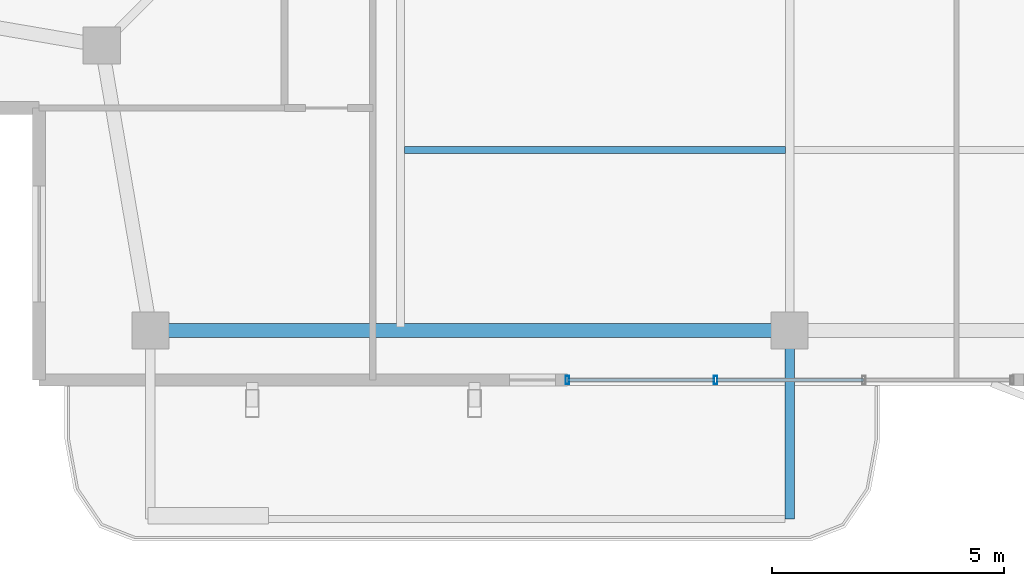
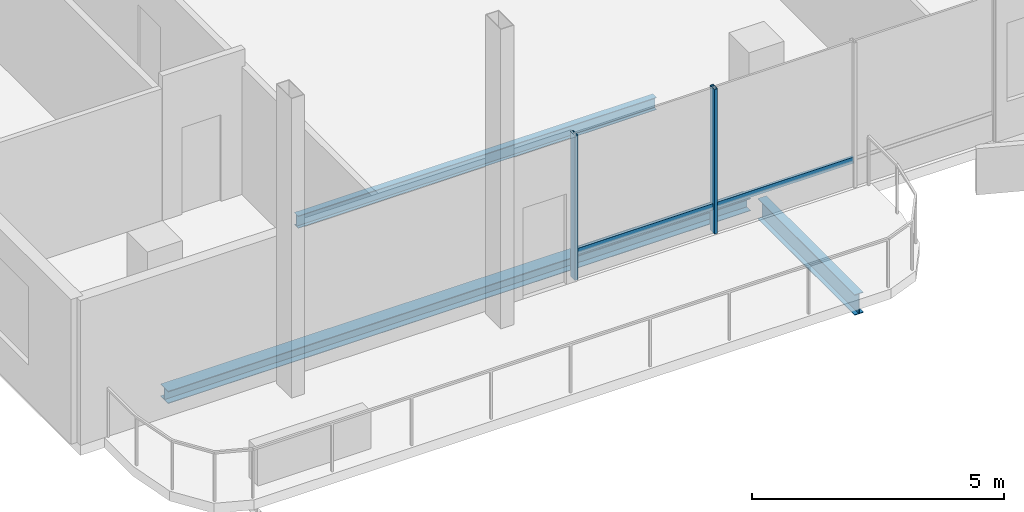
# One storey, part 3 of 22: 4 members, 3 beams, 1 element without a shape of its own.
"""IFC4 building model written with IfcOpenShell, lengths in metres."""

import ifcopenshell
import ifcopenshell.guid

model = None  # the IFC model being written
_history = None  # IfcOwnerHistory: only IFC2X3 demands one
_inside = {}  # id of a spatial element -> (the spatial element, [elements in it])
_under = {}  # id of a project, library or spatial element -> (it, [spatial elements below it])
_declared = {}  # id of a project -> (the project, [libraries it declares])
_typed = {}  # id of a type object -> (the type object, [elements of that type])
_made_of = {}  # id of a material, layer set ... -> (it, [elements and type objects made of it])


def new_model(schema):
    """Start an empty IFC model of exactly this schema.

    Asked for "IFC4X3", IfcOpenShell would pick the latest addendum, in which some entities
    have other attributes; the version numbers below select the first issue.
    IFC2X3 requires an IfcOwnerHistory on every rooted entity: one is made here for all.
    """
    global model, _history
    if schema == "IFC4X3":
        model = ifcopenshell.file(schema_version=(4, 3, 0, 0))
    else:
        model = ifcopenshell.file(schema=schema)
    _inside.clear()
    _under.clear()
    _declared.clear()
    _typed.clear()
    _made_of.clear()
    _history = None
    if model.schema == "IFC2X3":
        org = make("IfcOrganization", Name="unknown")
        user = make(
            "IfcPersonAndOrganization",
            ThePerson=make("IfcPerson", FamilyName="unknown"),
            TheOrganization=org,
        )
        app = make(
            "IfcApplication",
            ApplicationDeveloper=org,
            Version="unknown",
            ApplicationFullName="unknown",
            ApplicationIdentifier="unknown",
        )
        _history = make(
            "IfcOwnerHistory",
            OwningUser=user,
            OwningApplication=app,
            ChangeAction="ADDED",
            CreationDate=0,
        )
    return model


def make(cls, **values):
    """One entity of the class cls with the attributes given. An attribute that is None is left unset."""
    return model.create_entity(
        cls, **{name: value for name, value in values.items() if value is not None}
    )


def rooted(cls, **values):
    """An entity with a GlobalId (a new one), such as an element, a storey or a relation."""
    return make(cls, GlobalId=ifcopenshell.guid.new(), OwnerHistory=_history, **values)


def si_unit(unit_type, name, prefix=None):
    """IfcSIUnit, for example si_unit("LENGTHUNIT", "METRE", prefix="MILLI")."""
    return make("IfcSIUnit", UnitType=unit_type, Prefix=prefix, Name=name)


def assignment(units):
    """IfcUnitAssignment: the units of a project."""
    return None if units is None else make("IfcUnitAssignment", Units=units)


def point(xyz):
    """IfcCartesianPoint."""
    return None if xyz is None else make("IfcCartesianPoint", Coordinates=xyz)


def direction(xyz):
    """IfcDirection."""
    return None if xyz is None else make("IfcDirection", DirectionRatios=xyz)


def frame(location, z_axis=None, x_axis=None):
    """IfcAxis2Placement3D, a coordinate frame: its origin and axes. An axis left out is left unset."""
    return make(
        "IfcAxis2Placement3D",
        Location=point(location),
        Axis=direction(z_axis),
        RefDirection=direction(x_axis),
    )


def frame_2d(location, x_axis=None):
    """IfcAxis2Placement2D, a coordinate frame in the plane: its origin and x axis."""
    return make(
        "IfcAxis2Placement2D", Location=point(location), RefDirection=direction(x_axis)
    )


def origin():
    """The frame at (0, 0, 0) with its axes left unset."""
    return frame((0.0, 0.0, 0.0))


def origin_2d():
    """The frame at (0, 0) in the plane with its x axis left unset."""
    return frame_2d((0.0, 0.0))


def place(relative_to, where):
    """IfcLocalPlacement: puts the frame where relative to a parent placement (None: the world)."""
    return make(
        "IfcLocalPlacement", PlacementRelTo=relative_to, RelativePlacement=where
    )


def context(
    kind, dimensions, precision=None, world=None, true_north=None, identifier=None
):
    """IfcGeometricRepresentationContext, for example the 3D "Model" context."""
    return make(
        "IfcGeometricRepresentationContext",
        ContextIdentifier=identifier,
        ContextType=kind,
        CoordinateSpaceDimension=dimensions,
        Precision=precision,
        WorldCoordinateSystem=world,
        TrueNorth=true_north,
    )


def subcontext(parent, identifier, kind, view, scale=None):
    """IfcGeometricRepresentationSubContext, for example "Body" below "Model"."""
    return make(
        "IfcGeometricRepresentationSubContext",
        ContextIdentifier=identifier,
        ContextType=kind,
        ParentContext=parent,
        TargetScale=scale,
        TargetView=view,
    )


def project(units=None, contexts=None):
    """IfcProject with its units and contexts."""
    return rooted(
        "IfcProject",
        Name="project",
        RepresentationContexts=contexts,
        UnitsInContext=assignment(units),
    )


def spatial(cls, under=None, at=None, **own):
    """A site, building, storey or space (cls), placed at a placement, below another one or the project."""
    s = rooted(cls, ObjectPlacement=at, **own)
    if under is not None:
        _under.setdefault(under.id(), (under, []))[1].append(s)
    return s


def profile(cls, at=None, kind="AREA", **sizes):
    """A parametric profile (cls). Its sizes go by their IFC names, for example OverallWidth=200.0."""
    return make(cls, ProfileType=kind, Position=at, **sizes)


def hollow_rectangle(**sizes):
    """IfcRectangleHollowProfileDef."""
    return profile("IfcRectangleHollowProfileDef", **sizes)


def i_section(**sizes):
    """IfcIShapeProfileDef."""
    return profile("IfcIShapeProfileDef", **sizes)


def extrude(swept, where, along, depth):
    """IfcExtrudedAreaSolid: the profile swept, set in the frame where, extruded along a direction by depth."""
    return make(
        "IfcExtrudedAreaSolid",
        SweptArea=swept,
        Position=where,
        ExtrudedDirection=direction(along),
        Depth=depth,
    )


def shape(context_of_items, identifier, shape_type, items):
    """IfcShapeRepresentation: the items that make up one representation, for example the "Body"."""
    return make(
        "IfcShapeRepresentation",
        ContextOfItems=context_of_items,
        RepresentationIdentifier=identifier,
        RepresentationType=shape_type,
        Items=items,
    )


def material(Name=None, Category=None):
    """IfcMaterial."""
    return make("IfcMaterial", Name=Name, Category=Category)


def layer(
    of_material, thickness, ventilated=None, Name=None, Category=None, Priority=None
):
    """IfcMaterialLayer: one layer of a wall or slab, of a material (None: an air gap)."""
    return make(
        "IfcMaterialLayer",
        Material=of_material,
        LayerThickness=thickness,
        IsVentilated=ventilated,
        Name=Name,
        Category=Category,
        Priority=Priority,
    )


def layer_set(layers, Name=None):
    """IfcMaterialLayerSet."""
    return make("IfcMaterialLayerSet", MaterialLayers=layers, LayerSetName=Name)


def material_profile(
    of_material, cross_section, Name=None, Category=None, Priority=None
):
    """IfcMaterialProfile: a cross section and its material."""
    return make(
        "IfcMaterialProfile",
        Name=Name,
        Material=of_material,
        Profile=cross_section,
        Priority=Priority,
        Category=Category,
    )


def profile_set(profiles, Name=None, composite=None):
    """IfcMaterialProfileSet."""
    return make(
        "IfcMaterialProfileSet",
        Name=Name,
        MaterialProfiles=profiles,
        CompositeProfile=composite,
    )


def made_of(thing, what):
    """Note that an element or type object is made of a material, layer set ...; save() writes the relation."""
    if what is not None:
        _made_of.setdefault(what.id(), (what, []))[1].append(thing)
    return thing


def type_object(cls, material=None, **own):
    """A type object (cls), such as IfcWallType, which elements share."""
    return made_of(rooted(cls, **own), material)


def element(
    cls,
    number,
    at=None,
    inside=None,
    cuts=None,
    type_object=None,
    material=None,
    context=None,
    identifier="Body",
    shape_type=None,
    held_by="IfcProductDefinitionShape",
    body=None,
    shapes=None,
    **own,
):
    """One element of the class cls, such as IfcWall. Its Tag is "e" and its number.

    at: its placement. inside: the storey or other place that contains it. cuts: it is an
    opening in that element (IfcRelVoidsElement). A single representation is given by context,
    identifier, shape_type and body (its items); several are given by shapes. held_by: the class
    of the entity that holds the representations. save() writes the other relations.
    """
    e = rooted(cls, Tag="e%d" % number, ObjectPlacement=at, **own)
    if body is not None:
        shapes = [shape(context, identifier, shape_type, body)]
    if shapes is not None:
        e.Representation = make(held_by, Representations=shapes)
    if inside is not None:
        _inside.setdefault(inside.id(), (inside, []))[1].append(e)
    if cuts is not None:
        rooted(
            "IfcRelVoidsElement", RelatingBuildingElement=cuts, RelatedOpeningElement=e
        )
    if type_object is not None:
        _typed.setdefault(type_object.id(), (type_object, []))[1].append(e)
    return made_of(e, material)


def aggregate(whole, parts):
    """IfcRelAggregates: a whole, such as a stair, and the parts it consists of."""
    return rooted("IfcRelAggregates", RelatingObject=whole, RelatedObjects=parts)


def save(model, path):
    """Write the relations noted so far, then the file.

    IfcRelAggregates (storeys below a building ...), IfcRelContainedInSpatialStructure (elements
    in a storey), IfcRelDefinesByType, IfcRelAssociatesMaterial and IfcRelDeclares: one each for
    every whole, place, type object, material and project.
    """
    for whole, parts in _under.values():
        aggregate(whole, parts)
    for where, things in _inside.values():
        rooted(
            "IfcRelContainedInSpatialStructure",
            RelatedElements=things,
            RelatingStructure=where,
        )
    for kind, things in _typed.values():
        rooted("IfcRelDefinesByType", RelatedObjects=things, RelatingType=kind)
    for what, things in _made_of.values():
        rooted("IfcRelAssociatesMaterial", RelatedObjects=things, RelatingMaterial=what)
    for by, libraries in _declared.values():
        rooted("IfcRelDeclares", RelatingContext=by, RelatedDefinitions=libraries)
    model.write(path)


model = new_model("IFC4")

# Units and contexts
model_context = context("Model", 3, precision=1e-05, world=origin(), true_north=direction((0.0, 1.0)))
body_context = subcontext(model_context, "Body", "Model", "MODEL_VIEW")
ifc_project = project(units=[si_unit("LENGTHUNIT", "METRE"), si_unit("AREAUNIT", "SQUARE_METRE"), si_unit("VOLUMEUNIT", "CUBIC_METRE"), si_unit("PLANEANGLEUNIT", "RADIAN"), si_unit("MASSUNIT", "GRAM", prefix="KILO")], contexts=[model_context])

# Site, building, storey
site_placement = place(None, origin())
site = spatial("IfcSite", under=ifc_project, at=site_placement, CompositionType="ELEMENT")
building_placement = place(site_placement, origin())
building = spatial("IfcBuilding", under=site, at=building_placement, Name="Belovzor Exchange Tower", CompositionType="ELEMENT")
storey_placement = place(building_placement, frame((0.0, 0.0, 336.75)))
storey = spatial("IfcBuildingStorey", under=building, at=storey_placement, Name="L84", CompositionType="ELEMENT", Elevation=336.75)

# Beams
ifc_material_1 = material(Name="Steel S355", Category="steel")
ifc_material_profile_1 = material_profile(ifc_material_1, i_section(OverallWidth=0.199951171875, OverallDepth=0.5, WebThickness=0.01025390625, FlangeThickness=0.01611328125, at=origin_2d()))
ifc_profile_set_1 = profile_set([ifc_material_profile_1], Name="Steel S355")
beam_type_1 = type_object("IfcBeamType", Name="Planted Balcony Cantilever Beam IPE 500", PredefinedType="BEAM", material=ifc_profile_set_1)
beam_1_placement = place(storey_placement, frame((28.800048828125, 7.580078125, -0.489990234375), z_axis=(0.0, -1.0, 0.0), x_axis=(1.0, 0.0, 0.0)))
element("IfcBeam", 1, at=beam_1_placement, inside=storey, type_object=beam_type_1, Name="BC-500 Planted Balcony Cantilever Beam IPE 500", PredefinedType="BEAM", context=body_context, shape_type="SweptSolid", body=[
    extrude(i_section(OverallWidth=0.199951171875, OverallDepth=0.5, WebThickness=0.01025390625, FlangeThickness=0.01611328125, at=origin_2d()), origin(), (0.0, 0.0, 1.0), 3.85009765625),
])
ifc_material_2 = material(Name="Steel S355", Category="steel")
ifc_material_profile_2 = material_profile(ifc_material_2, i_section(OverallWidth=0.14990234375, OverallDepth=0.300048828125, WebThickness=0.007080078125, FlangeThickness=0.0107421875, at=origin_2d()))
ifc_profile_set_2 = profile_set([ifc_material_profile_2], Name="Steel S355")
beam_type_2 = type_object("IfcBeamType", Name="Secondary Trim Floor Joist IPE 300", PredefinedType="BEAM", material=ifc_profile_set_2)
beam_2_placement = place(storey_placement, frame((20.489990234375, 11.69091796875, -0.389892578125), z_axis=(1.0, 0.0, 0.0), x_axis=(0.0, 1.0, 0.0)))
element("IfcBeam", 2, at=beam_2_placement, inside=storey, type_object=beam_type_2, Name="FJ-300 Secondary Trim Floor Joist IPE 300", PredefinedType="BEAM", context=body_context, shape_type="SweptSolid", body=[
    extrude(i_section(OverallWidth=0.14990234375, OverallDepth=0.300048828125, WebThickness=0.007080078125, FlangeThickness=0.0107421875, at=origin_2d()), origin(), (0.0, 0.0, 1.0), 8.219970703125),
])

# Curtain wall, members
ifc_material_3 = material(Name="Anodised Aluminium Framing", Category="aluminium")
ifc_layer = layer(ifc_material_3, 0.179931640625)
ifc_layer_set = layer_set([ifc_layer], Name="Anodised Aluminium Framing")
curtain_wall_type = type_object("IfcCurtainWallType", Name="Recessed Loggia Low-Iron Triple-Glazed Curtain Wall", PredefinedType="NOTDEFINED", material=ifc_layer_set)
curtain_wall_placement = place(storey_placement, origin())
curtain_wall = element("IfcCurtainWall", 3, at=curtain_wall_placement, inside=storey, type_object=curtain_wall_type, Name="CW3 Recessed Loggia Low-Iron Triple-Glazed Curtain Wall L84", PredefinedType="NOTDEFINED")
ifc_material_4 = material(Name="Steel S355", Category="steel")
ifc_material_profile_3 = material_profile(ifc_material_4, hollow_rectangle(XDim=0.074951171875, YDim=0.179931640625, WallThickness=0.0048828125, at=origin_2d()))
ifc_profile_set_3 = profile_set([ifc_material_profile_3], Name="Steel S355")
member_type_1 = type_object("IfcMemberType", Name="Thermally Broken Curtain Wall Mullion 180x75", PredefinedType="MULLION", material=ifc_profile_set_3)
member_1_placement = place(storey_placement, frame((27.199951171875, 6.72998046875, 0.0), z_axis=(0.0, 0.0, 1.0), x_axis=(-1.0, 0.0, 0.0)))
member_1 = element("IfcMember", 4, at=member_1_placement, type_object=member_type_1, Name="CW-M180 Curtain Wall Mullion 3", PredefinedType="MULLION", context=body_context, shape_type="SweptSolid", body=[
    extrude(hollow_rectangle(XDim=0.074951171875, YDim=0.179931640625, WallThickness=0.0048828125, at=origin_2d()), origin(), (0.0, 0.0, 1.0), 3.510009765625),
])
member_2_placement = place(storey_placement, frame((24.0, 6.72998046875, 0.0), z_axis=(0.0, 0.0, 1.0), x_axis=(-1.0, 0.0, 0.0)))
member_2 = element("IfcMember", 5, at=member_2_placement, type_object=member_type_1, Name="CW-M180 Curtain Wall Mullion 4", PredefinedType="MULLION", context=body_context, shape_type="SweptSolid", body=[
    extrude(hollow_rectangle(XDim=0.074951171875, YDim=0.179931640625, WallThickness=0.0048828125, at=origin_2d()), origin(), (0.0, 0.0, 1.0), 3.510009765625),
])
ifc_material_5 = material(Name="Steel S355", Category="steel")
ifc_material_profile_4 = material_profile(ifc_material_5, hollow_rectangle(XDim=0.06005859375, YDim=0.14990234375, WallThickness=0.00390625, at=origin_2d()))
ifc_profile_set_4 = profile_set([ifc_material_profile_4], Name="Steel S355")
member_type_2 = type_object("IfcMemberType", Name="Thermally Broken Curtain Wall Transom 150x60", PredefinedType="USERDEFINED", material=ifc_profile_set_4)
member_3_placement = place(storey_placement, frame((30.39208984375, 6.72998046875, 0.632080078125), z_axis=(-1.0, 0.0, 0.0), x_axis=(0.0, -1.0, 0.0)))
member_3 = element("IfcMember", 6, at=member_3_placement, type_object=member_type_2, Name="CW-T150 Curtain Wall Transom 2", ObjectType="TRANSOM", PredefinedType="USERDEFINED", context=body_context, shape_type="SweptSolid", body=[
    extrude(hollow_rectangle(XDim=0.06005859375, YDim=0.14990234375, WallThickness=0.00390625, at=origin_2d()), origin(), (0.0, 0.0, 1.0), 3.18408203125),
])
member_4_placement = place(storey_placement, frame((27.19189453125, 6.72998046875, 0.632080078125), z_axis=(-1.0, 0.0, 0.0), x_axis=(0.0, -1.0, 0.0)))
member_4 = element("IfcMember", 7, at=member_4_placement, type_object=member_type_2, Name="CW-T150 Curtain Wall Transom 3", ObjectType="TRANSOM", PredefinedType="USERDEFINED", context=body_context, shape_type="SweptSolid", body=[
    extrude(hollow_rectangle(XDim=0.06005859375, YDim=0.14990234375, WallThickness=0.00390625, at=origin_2d()), origin(), (0.0, 0.0, 1.0), 3.183837890625),
])
aggregate(curtain_wall, [member_1, member_2, member_3, member_4])

# Beam
ifc_material_6 = material(Name="Steel S355", Category="steel")
ifc_material_profile_5 = material_profile(ifc_material_6, i_section(OverallWidth=0.300048828125, OverallDepth=0.300048828125, WebThickness=0.008544921875, FlangeThickness=0.013916015625, at=origin_2d()))
ifc_profile_set_5 = profile_set([ifc_material_profile_5], Name="Steel S355")
beam_type_3 = type_object("IfcBeamType", Name="Zone 6 Primary Girder HEA 300", PredefinedType="BEAM", material=ifc_profile_set_5)
beam_3_placement = place(storey_placement, frame((15.219970703125, 7.800048828125, -0.389892578125), z_axis=(1.0, 0.0, 0.0), x_axis=(0.0, 1.0, 0.0)))
element("IfcBeam", 8, at=beam_3_placement, inside=storey, type_object=beam_type_3, Name="FG-Z6 Zone 6 Primary Girder HEA 300", PredefinedType="BEAM", context=body_context, shape_type="SweptSolid", body=[
    extrude(i_section(OverallWidth=0.300048828125, OverallDepth=0.300048828125, WebThickness=0.008544921875, FlangeThickness=0.013916015625, at=origin_2d()), origin(), (0.0, 0.0, 1.0), 13.360107421875),
])

save(model, "model.ifc")
